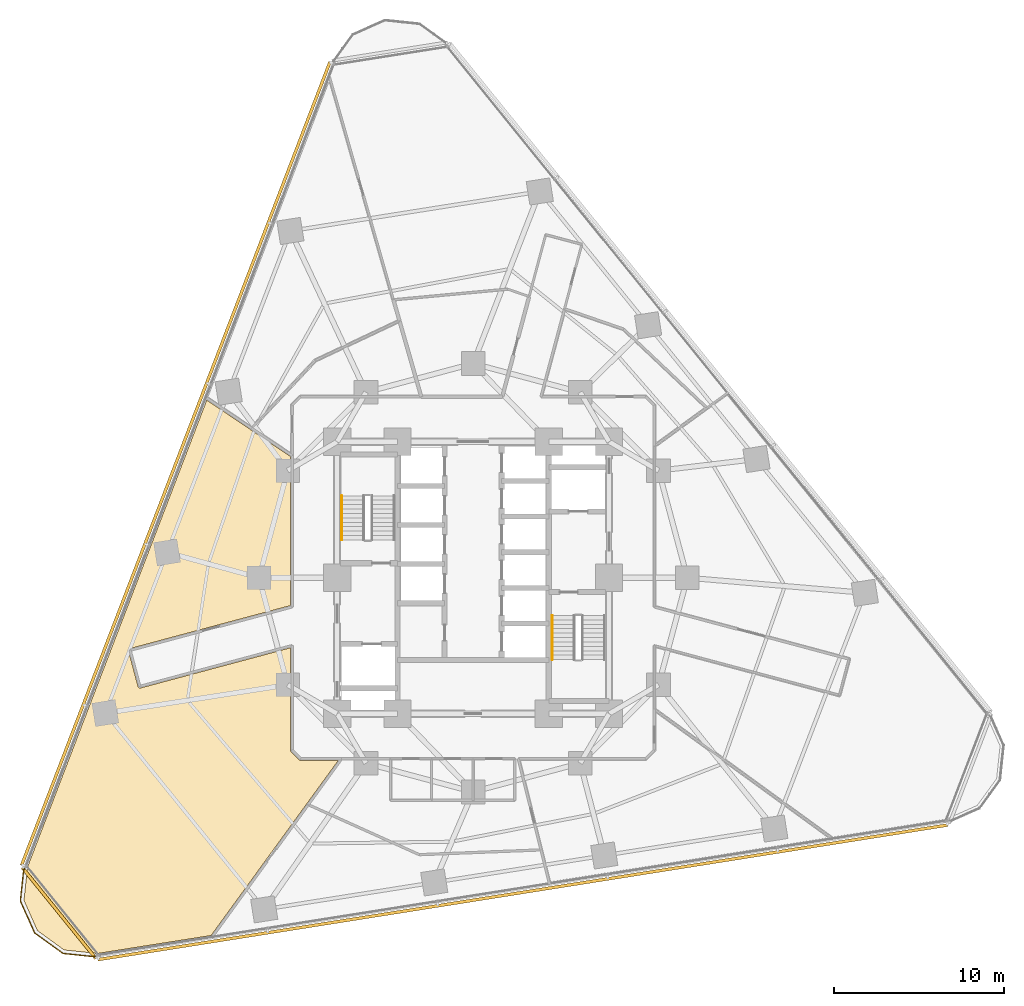
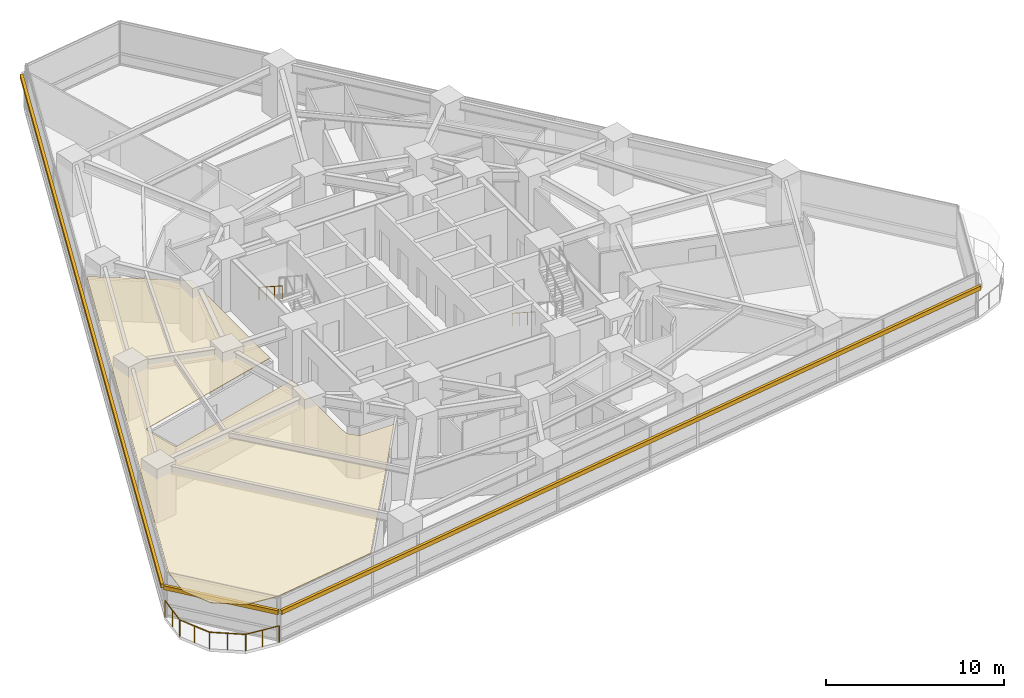
# One storey, part 11 of 13: 3 railings, 3 shading devices, 1 covering.
"""IFC4 building model written with IfcOpenShell, lengths in metres."""

from ifc_helpers import new_model, si_unit, direction, frame, origin, origin_2d, place, context, subcontext, project, spatial, polyline, rectangle, circle, outline, extrude, material, layer, layer_set, type_object, element, save


model = new_model("IFC4")

# Units and contexts
model_context = context("Model", 3, precision=1e-05, world=origin(), true_north=direction((0.0, 1.0)))
body_context = subcontext(model_context, "Body", "Model", "MODEL_VIEW")
ifc_project = project(units=[si_unit("LENGTHUNIT", "METRE"), si_unit("AREAUNIT", "SQUARE_METRE"), si_unit("VOLUMEUNIT", "CUBIC_METRE"), si_unit("PLANEANGLEUNIT", "RADIAN"), si_unit("MASSUNIT", "GRAM", prefix="KILO")], contexts=[model_context])

# Site, building, storey
site_placement = place(None, origin())
site = spatial("IfcSite", under=ifc_project, at=site_placement, CompositionType="ELEMENT")
building_placement = place(site_placement, origin())
building = spatial("IfcBuilding", under=site, at=building_placement, Name="Terralouvre Media Tower", CompositionType="ELEMENT")
storey_placement = place(building_placement, frame((0.0, 0.0, 55.60009765625)))
storey = spatial("IfcBuildingStorey", under=building, at=storey_placement, Name="L13", CompositionType="ELEMENT", Elevation=55.60009765625)

# Covering
ifc_material_1 = material(Name="Perforated aluminium acoustic ceiling baffle", Category="aluminium")
ifc_layer_1 = layer(ifc_material_1, 0.0400390625, Name="Perforated Acoustic Metal Tile Ceiling CL-AC1")
ifc_layer_set_1 = layer_set([ifc_layer_1], Name="Perforated aluminium acoustic ceiling baffle")
covering_type = type_object("IfcCoveringType", Name="Perforated Acoustic Metal Tile Ceiling CL-AC1", PredefinedType="CEILING", material=ifc_layer_set_1)
covering_placement = place(storey_placement, frame((0.0, 0.0, 2.97998046875), z_axis=(0.0, 0.0, 1.0), x_axis=(0.987688340595, 0.15643446504, 0.0)))
element("IfcCovering", 1, at=covering_placement, inside=storey, type_object=covering_type, Name="L13 Podcast Editing Creative Workshop 2 Acoustic Ceiling", PredefinedType="CEILING", context=body_context, shape_type="SweptSolid", body=[
    extrude(outline(polyline([(-9.518310546875, -9.37646484375), (-11.706787109375, -9.02978515625), (-11.71630859375, -9.02783203125), (-11.7255859375, -9.02490234375), (-11.734619140625, -9.02099609375), (-11.743408203125, -9.016357421875), (-11.75146484375, -9.0107421875), (-11.759033203125, -9.00439453125), (-11.765869140625, -8.99755859375), (-11.77197265625, -8.98974609375), (-12.1875, -8.417724609375), (-12.19287109375, -8.409423828125), (-12.197509765625, -8.40087890625), (-12.201171875, -8.391845703125), (-12.203857421875, -8.38232421875), (-12.205810546875, -8.372802734375), (-12.20654296875, -8.363037109375), (-12.20654296875, -8.35302734375), (-12.20556640625, -8.34326171875), (-11.262451171875, -2.389892578125), (-20.361328125, -3.3466796875), (-20.37109375, -3.34716796875), (-20.380859375, -3.3466796875), (-20.390625, -3.34521484375), (-20.400146484375, -3.343017578125), (-20.409423828125, -3.33984375), (-20.418212890625, -3.335693359375), (-20.4267578125, -3.33056640625), (-20.434814453125, -3.324951171875), (-20.44189453125, -3.318359375), (-20.44873046875, -3.31103515625), (-20.45458984375, -3.30322265625), (-20.459716796875, -3.294921875), (-20.4638671875, -3.285888671875), (-20.46728515625, -3.27685546875), (-20.4697265625, -3.267333984375), (-20.47119140625, -3.257568359375), (-20.701904296875, -1.069580078125), (-20.702392578125, -1.059814453125), (-20.701904296875, -1.050048828125), (-20.700439453125, -1.040283203125), (-20.6982421875, -1.03076171875), (-20.695068359375, -1.021484375), (-20.69091796875, -1.0126953125), (-20.685791015625, -1.004150390625), (-20.679931640625, -0.99609375), (-20.673583984375, -0.989013671875), (-20.666259765625, -0.982177734375), (-20.658447265625, -0.976318359375), (-20.650146484375, -0.97119140625), (-20.64111328125, -0.967041015625), (-20.6318359375, -0.963623046875), (-20.62255859375, -0.961181640625), (-20.61279296875, -0.959716796875), (-10.8740234375, 0.0634765625), (-9.502197265625, 8.724609375), (-11.56982421875, 10.653076171875), (-13.845703125, 12.775146484375), (-28.561279296875, -12.713134765625), (-29.072509765625, -14.618896484375), (-28.569580078125, -16.49462890625), (-27.19580078125, -17.867919921875), (-25.291015625, -18.378173828125), (-18.519775390625, -18.37890625), (-11.740966796875, -11.599365234375), (-9.518310546875, -9.37646484375)])), origin(), (0.0, 0.0, 1.0), 0.0400390625),
])

# Railings
ifc_material_2 = material(Name="Stainless steel 316 handrail and balustrade", Category="steel")
ifc_layer_2 = layer(ifc_material_2, 0.06005859375, Name="Roof Edge Safety Guardrail GR-ROOF1")
ifc_layer_set_2 = layer_set([ifc_layer_2], Name="Stainless steel 316 handrail and balustrade")
railing_type_1 = type_object("IfcRailingType", Name="Roof Edge Safety Guardrail GR-ROOF1", PredefinedType="GUARDRAIL", material=ifc_layer_set_2)
railing_placement = place(storey_placement, frame((-26.424560546875, -16.965087890625, 0.0)))
element("IfcRailing", 2, at=railing_placement, inside=storey, type_object=railing_type_1, Name="L13 Wind-Corner Perimeter Safety Guardrail C0", PredefinedType="GUARDRAIL", context=body_context, shape_type="SweptSolid", body=[
    extrude(circle(Radius=0.02099609375, at=origin_2d()), frame((0.0, 0.0, 1.12890625), z_axis=(-0.104666273578, -0.994507401267, 0.0), x_axis=(0.994507401267, -0.104666273578, 0.0)), (0.0, 0.0, 1.0), 2.0595703125),
    extrude(circle(Radius=0.02099609375, at=origin_2d()), frame((-0.215576171875, -2.04833984375, 1.12890625), z_axis=(0.406644402356, -0.913586520278, 0.0), x_axis=(0.913586520278, 0.406644402356, 0.0)), (0.0, 0.0, 1.0), 2.059326171875),
    extrude(circle(Radius=0.02099609375, at=origin_2d()), frame((0.621826171875, -3.9296875, 1.12890625), z_axis=(0.809069210714, -0.587713375954, 0.0), x_axis=(0.587713375954, 0.809069210714, 0.0)), (0.0, 0.0, 1.0), 2.05908203125),
    extrude(circle(Radius=0.02099609375, at=origin_2d()), frame((2.287841796875, -5.139892578125, 1.12890625), z_axis=(0.994544355817, -0.104314545068, 0.0), x_axis=(0.104314545068, 0.994544355817, 0.0)), (0.0, 0.0, 1.0), 2.0595703125),
    extrude(circle(Radius=0.01904296875, at=origin_2d()), origin(), (0.0, 0.0, 1.0), 1.10791015625),
    extrude(circle(Radius=0.01904296875, at=origin_2d()), frame((-0.10791015625, -1.024169921875, 0.0)), (0.0, 0.0, 1.0), 1.10791015625),
    extrude(circle(Radius=0.01904296875, at=origin_2d()), frame((-0.215576171875, -2.04833984375, 0.0)), (0.0, 0.0, 1.0), 1.10791015625),
    extrude(circle(Radius=0.01904296875, at=origin_2d()), frame((0.203125, -2.989013671875, 0.0)), (0.0, 0.0, 1.0), 1.10791015625),
    extrude(circle(Radius=0.01904296875, at=origin_2d()), frame((0.621826171875, -3.9296875, 0.0)), (0.0, 0.0, 1.0), 1.10791015625),
    extrude(circle(Radius=0.01904296875, at=origin_2d()), frame((1.454833984375, -4.53466796875, 0.0)), (0.0, 0.0, 1.0), 1.10791015625),
    extrude(circle(Radius=0.01904296875, at=origin_2d()), frame((2.287841796875, -5.139892578125, 0.0)), (0.0, 0.0, 1.0), 1.10791015625),
    extrude(circle(Radius=0.01904296875, at=origin_2d()), frame((3.31201171875, -5.247314453125, 0.0)), (0.0, 0.0, 1.0), 1.10791015625),
    extrude(circle(Radius=0.01904296875, at=origin_2d()), frame((4.336181640625, -5.354736328125, 0.0)), (0.0, 0.0, 1.0), 1.10791015625),
])
ifc_material_3 = material(Name="Stainless steel 316 handrail and balustrade", Category="steel")
ifc_layer_3 = layer(ifc_material_3, 0.050048828125, Name="Stair Flight Wall Handrail HR-INT1")
ifc_layer_set_3 = layer_set([ifc_layer_3], Name="Stainless steel 316 handrail and balustrade")
railing_type_2 = type_object("IfcRailingType", Name="Stair Flight Wall Handrail HR-INT1", PredefinedType="HANDRAIL", material=ifc_layer_set_3)
for number, where, name in (
    (3, (-7.72998046875, 4.820068359375, 2.01806640625), "L13 ST-01 stair handrail 2"),
    (4, (4.64990234375, -2.219970703125, 0.16796875), "L13 ST-02 stair handrail 1"),
):
    element("IfcRailing", number, at=place(storey_placement, frame(where)), inside=storey, type_object=railing_type_2, Name=name, PredefinedType="HANDRAIL", context=body_context, shape_type="SweptSolid", body=[
        extrude(circle(Radius=0.02392578125, at=origin_2d()), frame((0.0, 0.0, 0.8759765625), z_axis=(0.0, -0.839648411786, 0.543130320075), x_axis=(1.0, 0.0, 0.0)), (0.0, 0.0, 1.0), 3.0966796875),
        extrude(circle(Radius=0.02099609375, at=origin_2d()), origin(), (0.0, 0.0, 1.0), 0.851806640625),
        extrude(circle(Radius=0.02099609375, at=origin_2d()), frame((0.0, -0.86669921875, 0.560546875)), (0.0, 0.0, 1.0), 0.851806640625),
        extrude(circle(Radius=0.02099609375, at=origin_2d()), frame((0.0, -1.7333984375, 1.121337890625)), (0.0, 0.0, 1.0), 0.851806640625),
        extrude(circle(Radius=0.02099609375, at=origin_2d()), frame((0.0, -2.60009765625, 1.681884765625)), (0.0, 0.0, 1.0), 0.851806640625),
    ])

# Shading devices
ifc_material_4 = material(Name="Extruded terracotta baguette sunshade louvres", Category="masonry")
shading_device_type = type_object("IfcShadingDeviceType", Name="Terracotta Baguette Sunshade Louvre Screen TB-LV1", PredefinedType="USERDEFINED", material=ifc_material_4)
for number, where, z_axis, x_axis, name in (
    (5, (2.931396484375, -18.5078125, 2.02392578125), (0.0, 0.0, 1.0), (0.987688340934, 0.156434462903, 0.0), "CW-L13-F0 Terracotta Baguette Sunshade Louvre"),
    (6, (-17.493896484375, 6.71533203125, 2.02392578125), (0.0, 0.0, 1.0), (-0.358367917006, -0.933580438988, 0.0), "CW-L13-F2 Terracotta Baguette Sunshade Louvre"),
):
    element("IfcShadingDevice", number, at=place(storey_placement, frame(where, z_axis=z_axis, x_axis=x_axis)), inside=storey, type_object=shading_device_type, Name=name, ObjectType="BAGUETTE", PredefinedType="USERDEFINED", context=body_context, shape_type="SweptSolid", body=[
        extrude(rectangle(XDim=50.639892578125, YDim=0.179931640625, at=origin_2d()), origin(), (0.0, 0.0, 1.0), 0.280029296875),
    ])
shading_device_placement = place(storey_placement, frame((-24.361328125, -19.727294921875, 2.02392578125), z_axis=(0.0, 0.0, 1.0), x_axis=(0.629320031936, -0.777146252262, 0.0)))
element("IfcShadingDevice", 7, at=shading_device_placement, inside=storey, type_object=shading_device_type, Name="CW-L13-C0 Terracotta Baguette Sunshade Louvre", ObjectType="BAGUETTE", PredefinedType="USERDEFINED", context=body_context, shape_type="SweptSolid", body=[
    extrude(rectangle(XDim=6.8935546875, YDim=0.179931640625, at=origin_2d()), origin(), (0.0, 0.0, 1.0), 0.280029296875),
])

save(model, "model.ifc")
